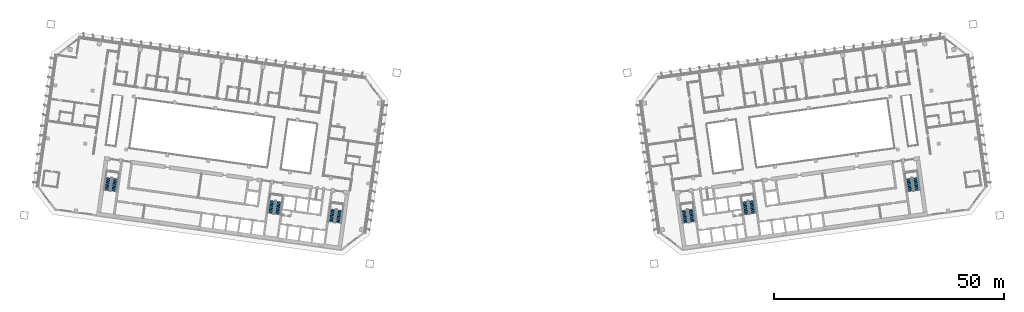
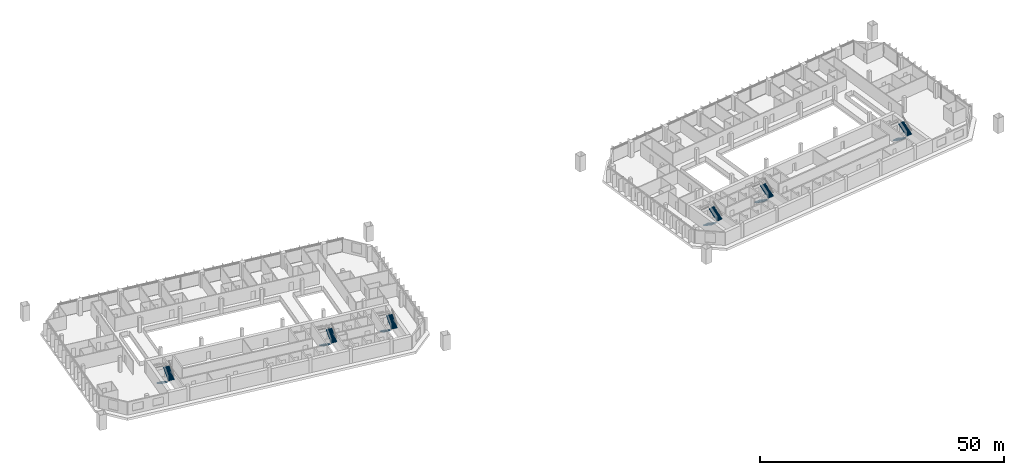
# One storey, part 22 of 24: 12 stair flights, 6 elements without a shape of their own.
"""IFC4 building model written with IfcOpenShell, lengths in metres."""

from ifc_helpers import new_model, si_unit, direction, frame, origin, place, context, subcontext, project, spatial, polyline, outline, extrude, material, type_object, element, aggregate, save


model = new_model("IFC4")

# Units and contexts
model_context = context("Model", 3, precision=1e-05, world=origin(), true_north=direction((0.0, 1.0)))
body_context = subcontext(model_context, "Body", "Model", "MODEL_VIEW")
ifc_project = project(units=[si_unit("LENGTHUNIT", "METRE"), si_unit("AREAUNIT", "SQUARE_METRE"), si_unit("VOLUMEUNIT", "CUBIC_METRE"), si_unit("PLANEANGLEUNIT", "RADIAN"), si_unit("MASSUNIT", "GRAM", prefix="KILO")], contexts=[model_context])

# Site, building, storey
site_placement = place(None, origin())
site = spatial("IfcSite", under=ifc_project, at=site_placement, CompositionType="ELEMENT")
building_placement = place(site_placement, origin())
building = spatial("IfcBuilding", under=site, at=building_placement, Name="Mirante Cascada Hotel Towers", CompositionType="ELEMENT")
storey_placement = place(building_placement, frame((0.0, 0.0, 132.9)))
storey = spatial("IfcBuildingStorey", under=building, at=storey_placement, Name="L30", CompositionType="ELEMENT", Elevation=132.9)

# Stair, stair flights
ifc_material_1 = material(Name="Concrete C35/45", Category="concrete")
stair_type = type_object("IfcStairType", Name="Exit stair half-turn 1350 concrete C35/45", PredefinedType="HALF_TURN_STAIR", material=ifc_material_1)
stair_1_placement = place(storey_placement, origin())
stair_1 = element("IfcStair", 1, at=stair_1_placement, inside=storey, type_object=stair_type, Name="L30 Exit stair A", PredefinedType="HALF_TURN_STAIR")
ifc_material_2 = material(Name="Concrete C35/45", Category="concrete")
stair_flight_type = type_object("IfcStairFlightType", Name="Exit stair flight 1350 concrete C35/45", PredefinedType="STRAIGHT", material=ifc_material_2)
stair_flight_1_placement = place(storey_placement, frame((-38.9417, -11.195, 0.0), z_axis=(0.0, 0.0, 1.0), x_axis=(-0.1391731, -0.9902681, 0.0)))
stair_flight_1 = element("IfcStairFlight", 2, at=stair_flight_1_placement, type_object=stair_flight_type, Name="ST1-A flight 1", NumberOfRisers=11, NumberOfTreads=10, PredefinedType="STRAIGHT", RiserHeight=0.172727273, TreadLength=0.28, context=body_context, shape_type="SweptSolid", body=[
    extrude(outline(polyline([(0.0, 0.0), (0.0, 0.1727), (0.28, 0.1727), (0.28, 0.3455), (0.56, 0.3455), (0.56, 0.5182), (0.84, 0.5182), (0.84, 0.6909), (1.12, 0.6909), (1.12, 0.8636), (1.4, 0.8636), (1.4, 1.0364), (1.68, 1.0364), (1.68, 1.2091), (1.96, 1.2091), (1.96, 1.3818), (2.24, 1.3818), (2.24, 1.5545), (2.52, 1.5545), (2.52, 1.7273), (2.8, 1.7273), (2.8, 1.9), (2.8, 1.551), (0.2857, 0.0), (0.0, 0.0)])), frame((0.0, 0.675, 0.0), z_axis=(0.0, -1.0, 0.0), x_axis=(1.0, 0.0, 0.0)), (0.0, 0.0, 1.0), 1.35),
])
stair_flight_2_placement = place(storey_placement, frame((-37.846, -14.1765, 1.9), z_axis=(0.0, 0.0, 1.0), x_axis=(0.1391731, 0.9902681, 0.0)))
stair_flight_2 = element("IfcStairFlight", 3, at=stair_flight_2_placement, type_object=stair_flight_type, Name="ST1-A flight 2", NumberOfRisers=11, NumberOfTreads=10, PredefinedType="STRAIGHT", RiserHeight=0.172727273, TreadLength=0.28, context=body_context, shape_type="SweptSolid", body=[
    extrude(outline(polyline([(0.0, 0.0), (0.0, 0.1727), (0.28, 0.1727), (0.28, 0.3455), (0.56, 0.3455), (0.56, 0.5182), (0.84, 0.5182), (0.84, 0.6909), (1.12, 0.6909), (1.12, 0.8636), (1.4, 0.8636), (1.4, 1.0364), (1.68, 1.0364), (1.68, 1.2091), (1.96, 1.2091), (1.96, 1.3818), (2.24, 1.3818), (2.24, 1.5545), (2.52, 1.5545), (2.52, 1.7273), (2.8, 1.7273), (2.8, 1.9), (2.8, 1.551), (0.2857, 0.0), (0.0, 0.0)])), frame((0.0, 0.675, 0.0), z_axis=(0.0, -1.0, 0.0), x_axis=(1.0, 0.0, 0.0)), (0.0, 0.0, 1.0), 1.35),
])
aggregate(stair_1, [stair_flight_1, stair_flight_2])

stair_2_placement = place(storey_placement, origin())
stair_2 = element("IfcStair", 4, at=stair_2_placement, inside=storey, type_object=stair_type, Name="L30 Exit stair B", PredefinedType="HALF_TURN_STAIR")
stair_flight_3_placement = place(storey_placement, frame((-52.1618, -9.3371, 0.0), z_axis=(0.0, 0.0, 1.0), x_axis=(-0.1391731, -0.9902681, 0.0)))
stair_flight_3 = element("IfcStairFlight", 5, at=stair_flight_3_placement, type_object=stair_flight_type, Name="ST1-B flight 1", NumberOfRisers=11, NumberOfTreads=10, PredefinedType="STRAIGHT", RiserHeight=0.172727273, TreadLength=0.28, context=body_context, shape_type="SweptSolid", body=[
    extrude(outline(polyline([(0.0, 0.0), (0.0, 0.1727), (0.28, 0.1727), (0.28, 0.3455), (0.56, 0.3455), (0.56, 0.5182), (0.84, 0.5182), (0.84, 0.6909), (1.12, 0.6909), (1.12, 0.8636), (1.4, 0.8636), (1.4, 1.0364), (1.68, 1.0364), (1.68, 1.2091), (1.96, 1.2091), (1.96, 1.3818), (2.24, 1.3818), (2.24, 1.5545), (2.52, 1.5545), (2.52, 1.7273), (2.8, 1.7273), (2.8, 1.9), (2.8, 1.551), (0.2857, 0.0), (0.0, 0.0)])), frame((0.0, 0.675, 0.0), z_axis=(0.0, -1.0, 0.0), x_axis=(1.0, 0.0, 0.0)), (0.0, 0.0, 1.0), 1.35),
])
stair_flight_4_placement = place(storey_placement, frame((-51.0661, -12.3186, 1.9), z_axis=(0.0, 0.0, 1.0), x_axis=(0.1391731, 0.9902681, 0.0)))
stair_flight_4 = element("IfcStairFlight", 6, at=stair_flight_4_placement, type_object=stair_flight_type, Name="ST1-B flight 2", NumberOfRisers=11, NumberOfTreads=10, PredefinedType="STRAIGHT", RiserHeight=0.172727273, TreadLength=0.28, context=body_context, shape_type="SweptSolid", body=[
    extrude(outline(polyline([(0.0, 0.0), (0.0, 0.1727), (0.28, 0.1727), (0.28, 0.3455), (0.56, 0.3455), (0.56, 0.5182), (0.84, 0.5182), (0.84, 0.6909), (1.12, 0.6909), (1.12, 0.8636), (1.4, 0.8636), (1.4, 1.0364), (1.68, 1.0364), (1.68, 1.2091), (1.96, 1.2091), (1.96, 1.3818), (2.24, 1.3818), (2.24, 1.5545), (2.52, 1.5545), (2.52, 1.7273), (2.8, 1.7273), (2.8, 1.9), (2.8, 1.551), (0.2857, 0.0), (0.0, 0.0)])), frame((0.0, 0.675, 0.0), z_axis=(0.0, -1.0, 0.0), x_axis=(1.0, 0.0, 0.0)), (0.0, 0.0, 1.0), 1.35),
])
aggregate(stair_2, [stair_flight_3, stair_flight_4])

stair_3_placement = place(storey_placement, origin())
stair_3 = element("IfcStair", 7, at=stair_3_placement, inside=storey, type_object=stair_type, Name="L30 Exit stair C", PredefinedType="HALF_TURN_STAIR")
stair_flight_5_placement = place(storey_placement, frame((-87.8115, -4.3268, 0.0), z_axis=(0.0, 0.0, 1.0), x_axis=(-0.1391731, -0.9902681, 0.0)))
stair_flight_5 = element("IfcStairFlight", 8, at=stair_flight_5_placement, type_object=stair_flight_type, Name="ST1-C flight 1", NumberOfRisers=11, NumberOfTreads=10, PredefinedType="STRAIGHT", RiserHeight=0.172727273, TreadLength=0.28, context=body_context, shape_type="SweptSolid", body=[
    extrude(outline(polyline([(0.0, 0.0), (0.0, 0.1727), (0.28, 0.1727), (0.28, 0.3455), (0.56, 0.3455), (0.56, 0.5182), (0.84, 0.5182), (0.84, 0.6909), (1.12, 0.6909), (1.12, 0.8636), (1.4, 0.8636), (1.4, 1.0364), (1.68, 1.0364), (1.68, 1.2091), (1.96, 1.2091), (1.96, 1.3818), (2.24, 1.3818), (2.24, 1.5545), (2.52, 1.5545), (2.52, 1.7273), (2.8, 1.7273), (2.8, 1.9), (2.8, 1.551), (0.2857, 0.0), (0.0, 0.0)])), frame((0.0, 0.675, 0.0), z_axis=(0.0, -1.0, 0.0), x_axis=(1.0, 0.0, 0.0)), (0.0, 0.0, 1.0), 1.35),
])
stair_flight_6_placement = place(storey_placement, frame((-86.7157, -7.3084, 1.9), z_axis=(0.0, 0.0, 1.0), x_axis=(0.1391731, 0.9902681, 0.0)))
stair_flight_6 = element("IfcStairFlight", 9, at=stair_flight_6_placement, type_object=stair_flight_type, Name="ST1-C flight 2", NumberOfRisers=11, NumberOfTreads=10, PredefinedType="STRAIGHT", RiserHeight=0.172727273, TreadLength=0.28, context=body_context, shape_type="SweptSolid", body=[
    extrude(outline(polyline([(0.0, 0.0), (0.0, 0.1727), (0.28, 0.1727), (0.28, 0.3455), (0.56, 0.3455), (0.56, 0.5182), (0.84, 0.5182), (0.84, 0.6909), (1.12, 0.6909), (1.12, 0.8636), (1.4, 0.8636), (1.4, 1.0364), (1.68, 1.0364), (1.68, 1.2091), (1.96, 1.2091), (1.96, 1.3818), (2.24, 1.3818), (2.24, 1.5545), (2.52, 1.5545), (2.52, 1.7273), (2.8, 1.7273), (2.8, 1.9), (2.8, 1.551), (0.2857, 0.0), (0.0, 0.0)])), frame((0.0, 0.675, 0.0), z_axis=(0.0, -1.0, 0.0), x_axis=(1.0, 0.0, 0.0)), (0.0, 0.0, 1.0), 1.35),
])
aggregate(stair_3, [stair_flight_5, stair_flight_6])

stair_4_placement = place(storey_placement, origin())
stair_4 = element("IfcStair", 10, at=stair_4_placement, inside=storey, type_object=stair_type, Name="L30 Exit stair A", PredefinedType="HALF_TURN_STAIR")
stair_flight_7_placement = place(storey_placement, frame((37.4563, -11.4038, 0.0), z_axis=(0.0, 0.0, 1.0), x_axis=(0.1391731, -0.9902681, 0.0)))
stair_flight_7 = element("IfcStairFlight", 11, at=stair_flight_7_placement, type_object=stair_flight_type, Name="ST2-A flight 1", NumberOfRisers=11, NumberOfTreads=10, PredefinedType="STRAIGHT", RiserHeight=0.172727273, TreadLength=0.28, context=body_context, shape_type="SweptSolid", body=[
    extrude(outline(polyline([(0.0, 0.0), (0.0, 0.1727), (0.28, 0.1727), (0.28, 0.3455), (0.56, 0.3455), (0.56, 0.5182), (0.84, 0.5182), (0.84, 0.6909), (1.12, 0.6909), (1.12, 0.8636), (1.4, 0.8636), (1.4, 1.0364), (1.68, 1.0364), (1.68, 1.2091), (1.96, 1.2091), (1.96, 1.3818), (2.24, 1.3818), (2.24, 1.5545), (2.52, 1.5545), (2.52, 1.7273), (2.8, 1.7273), (2.8, 1.9), (2.8, 1.551), (0.2857, 0.0), (0.0, 0.0)])), frame((0.0, 0.675, 0.0), z_axis=(0.0, -1.0, 0.0), x_axis=(1.0, 0.0, 0.0)), (0.0, 0.0, 1.0), 1.35),
])
stair_flight_8_placement = place(storey_placement, frame((39.3314, -13.9678, 1.9), z_axis=(0.0, 0.0, 1.0), x_axis=(-0.1391731, 0.9902681, 0.0)))
stair_flight_8 = element("IfcStairFlight", 12, at=stair_flight_8_placement, type_object=stair_flight_type, Name="ST2-A flight 2", NumberOfRisers=11, NumberOfTreads=10, PredefinedType="STRAIGHT", RiserHeight=0.172727273, TreadLength=0.28, context=body_context, shape_type="SweptSolid", body=[
    extrude(outline(polyline([(0.0, 0.0), (0.0, 0.1727), (0.28, 0.1727), (0.28, 0.3455), (0.56, 0.3455), (0.56, 0.5182), (0.84, 0.5182), (0.84, 0.6909), (1.12, 0.6909), (1.12, 0.8636), (1.4, 0.8636), (1.4, 1.0364), (1.68, 1.0364), (1.68, 1.2091), (1.96, 1.2091), (1.96, 1.3818), (2.24, 1.3818), (2.24, 1.5545), (2.52, 1.5545), (2.52, 1.7273), (2.8, 1.7273), (2.8, 1.9), (2.8, 1.551), (0.2857, 0.0), (0.0, 0.0)])), frame((0.0, 0.675, 0.0), z_axis=(0.0, -1.0, 0.0), x_axis=(1.0, 0.0, 0.0)), (0.0, 0.0, 1.0), 1.35),
])
aggregate(stair_4, [stair_flight_7, stair_flight_8])

stair_5_placement = place(storey_placement, origin())
stair_5 = element("IfcStair", 13, at=stair_5_placement, inside=storey, type_object=stair_type, Name="L30 Exit stair B", PredefinedType="HALF_TURN_STAIR")
stair_flight_9_placement = place(storey_placement, frame((50.6764, -9.5458, 0.0), z_axis=(0.0, 0.0, 1.0), x_axis=(0.1391731, -0.9902681, 0.0)))
stair_flight_9 = element("IfcStairFlight", 14, at=stair_flight_9_placement, type_object=stair_flight_type, Name="ST2-B flight 1", NumberOfRisers=11, NumberOfTreads=10, PredefinedType="STRAIGHT", RiserHeight=0.172727273, TreadLength=0.28, context=body_context, shape_type="SweptSolid", body=[
    extrude(outline(polyline([(0.0, 0.0), (0.0, 0.1727), (0.28, 0.1727), (0.28, 0.3455), (0.56, 0.3455), (0.56, 0.5182), (0.84, 0.5182), (0.84, 0.6909), (1.12, 0.6909), (1.12, 0.8636), (1.4, 0.8636), (1.4, 1.0364), (1.68, 1.0364), (1.68, 1.2091), (1.96, 1.2091), (1.96, 1.3818), (2.24, 1.3818), (2.24, 1.5545), (2.52, 1.5545), (2.52, 1.7273), (2.8, 1.7273), (2.8, 1.9), (2.8, 1.551), (0.2857, 0.0), (0.0, 0.0)])), frame((0.0, 0.675, 0.0), z_axis=(0.0, -1.0, 0.0), x_axis=(1.0, 0.0, 0.0)), (0.0, 0.0, 1.0), 1.35),
])
stair_flight_10_placement = place(storey_placement, frame((52.5515, -12.1098, 1.9), z_axis=(0.0, 0.0, 1.0), x_axis=(-0.1391731, 0.9902681, 0.0)))
stair_flight_10 = element("IfcStairFlight", 15, at=stair_flight_10_placement, type_object=stair_flight_type, Name="ST2-B flight 2", NumberOfRisers=11, NumberOfTreads=10, PredefinedType="STRAIGHT", RiserHeight=0.172727273, TreadLength=0.28, context=body_context, shape_type="SweptSolid", body=[
    extrude(outline(polyline([(0.0, 0.0), (0.0, 0.1727), (0.28, 0.1727), (0.28, 0.3455), (0.56, 0.3455), (0.56, 0.5182), (0.84, 0.5182), (0.84, 0.6909), (1.12, 0.6909), (1.12, 0.8636), (1.4, 0.8636), (1.4, 1.0364), (1.68, 1.0364), (1.68, 1.2091), (1.96, 1.2091), (1.96, 1.3818), (2.24, 1.3818), (2.24, 1.5545), (2.52, 1.5545), (2.52, 1.7273), (2.8, 1.7273), (2.8, 1.9), (2.8, 1.551), (0.2857, 0.0), (0.0, 0.0)])), frame((0.0, 0.675, 0.0), z_axis=(0.0, -1.0, 0.0), x_axis=(1.0, 0.0, 0.0)), (0.0, 0.0, 1.0), 1.35),
])
aggregate(stair_5, [stair_flight_9, stair_flight_10])

stair_6_placement = place(storey_placement, origin())
stair_6 = element("IfcStair", 16, at=stair_6_placement, inside=storey, type_object=stair_type, Name="L30 Exit stair C", PredefinedType="HALF_TURN_STAIR")
stair_flight_11_placement = place(storey_placement, frame((86.326, -4.5356, 0.0), z_axis=(0.0, 0.0, 1.0), x_axis=(0.1391731, -0.9902681, 0.0)))
stair_flight_11 = element("IfcStairFlight", 17, at=stair_flight_11_placement, type_object=stair_flight_type, Name="ST2-C flight 1", NumberOfRisers=11, NumberOfTreads=10, PredefinedType="STRAIGHT", RiserHeight=0.172727273, TreadLength=0.28, context=body_context, shape_type="SweptSolid", body=[
    extrude(outline(polyline([(0.0, 0.0), (0.0, 0.1727), (0.28, 0.1727), (0.28, 0.3455), (0.56, 0.3455), (0.56, 0.5182), (0.84, 0.5182), (0.84, 0.6909), (1.12, 0.6909), (1.12, 0.8636), (1.4, 0.8636), (1.4, 1.0364), (1.68, 1.0364), (1.68, 1.2091), (1.96, 1.2091), (1.96, 1.3818), (2.24, 1.3818), (2.24, 1.5545), (2.52, 1.5545), (2.52, 1.7273), (2.8, 1.7273), (2.8, 1.9), (2.8, 1.551), (0.2857, 0.0), (0.0, 0.0)])), frame((0.0, 0.675, 0.0), z_axis=(0.0, -1.0, 0.0), x_axis=(1.0, 0.0, 0.0)), (0.0, 0.0, 1.0), 1.35),
])
stair_flight_12_placement = place(storey_placement, frame((88.2011, -7.0996, 1.9), z_axis=(0.0, 0.0, 1.0), x_axis=(-0.1391731, 0.9902681, 0.0)))
stair_flight_12 = element("IfcStairFlight", 18, at=stair_flight_12_placement, type_object=stair_flight_type, Name="ST2-C flight 2", NumberOfRisers=11, NumberOfTreads=10, PredefinedType="STRAIGHT", RiserHeight=0.172727273, TreadLength=0.28, context=body_context, shape_type="SweptSolid", body=[
    extrude(outline(polyline([(0.0, 0.0), (0.0, 0.1727), (0.28, 0.1727), (0.28, 0.3455), (0.56, 0.3455), (0.56, 0.5182), (0.84, 0.5182), (0.84, 0.6909), (1.12, 0.6909), (1.12, 0.8636), (1.4, 0.8636), (1.4, 1.0364), (1.68, 1.0364), (1.68, 1.2091), (1.96, 1.2091), (1.96, 1.3818), (2.24, 1.3818), (2.24, 1.5545), (2.52, 1.5545), (2.52, 1.7273), (2.8, 1.7273), (2.8, 1.9), (2.8, 1.551), (0.2857, 0.0), (0.0, 0.0)])), frame((0.0, 0.675, 0.0), z_axis=(0.0, -1.0, 0.0), x_axis=(1.0, 0.0, 0.0)), (0.0, 0.0, 1.0), 1.35),
])
aggregate(stair_6, [stair_flight_11, stair_flight_12])

save(model, "model.ifc")
